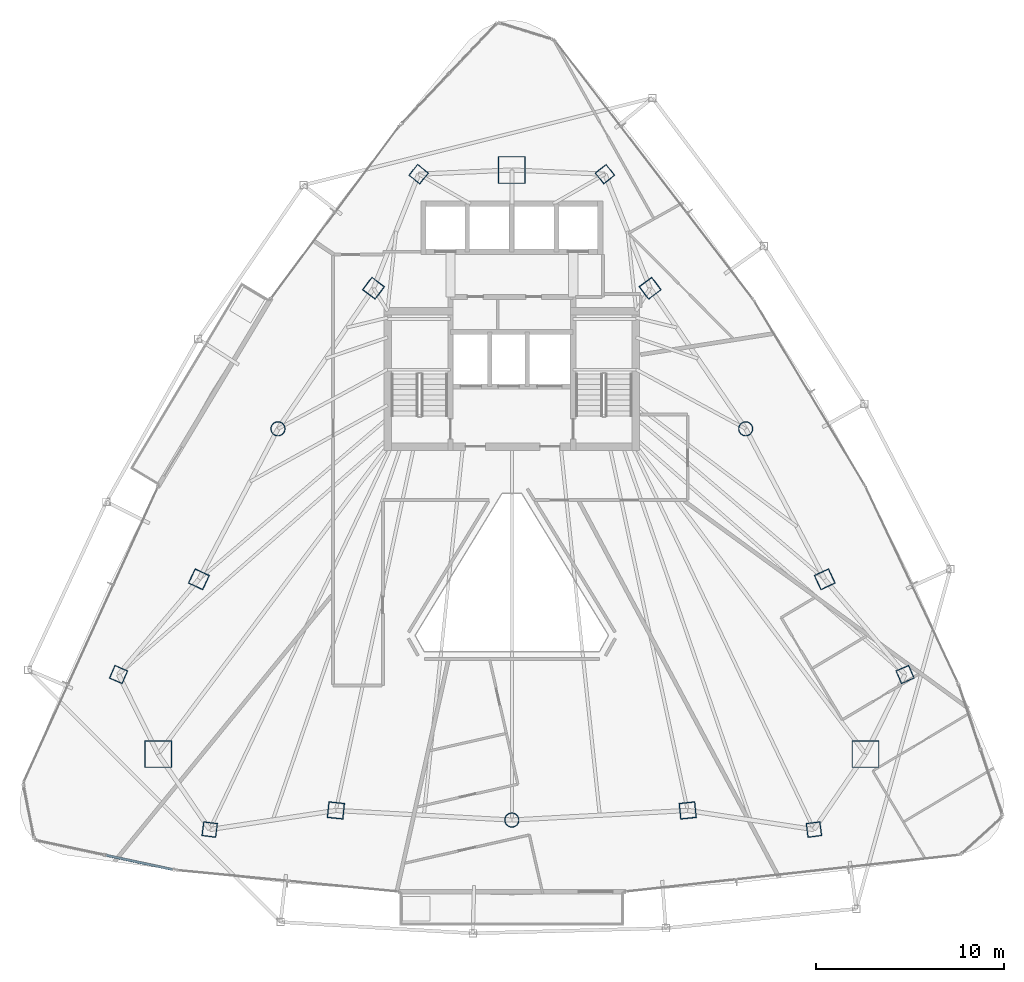
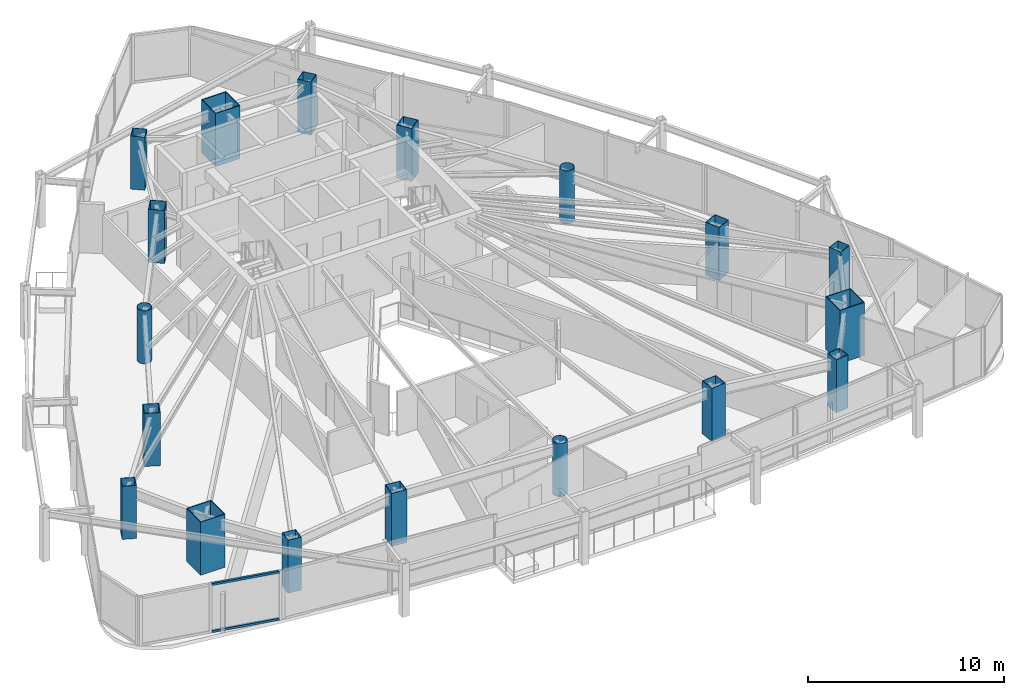
# One storey, part 1 of 33: 18 columns, 2 members, 1 element without a shape of its own.
"""IFC4 building model written with IfcOpenShell, lengths in metres."""

from ifc_helpers import new_model, si_unit, direction, frame, origin, origin_2d, place, context, subcontext, project, spatial, hollow_rectangle, hollow_circle, extrude, material, layer, layer_set, material_profile, profile_set, type_object, element, aggregate, save


model = new_model("IFC4")

# Units and contexts
model_context = context("Model", 3, precision=1e-05, world=origin(), true_north=direction((0.0, 1.0)))
body_context = subcontext(model_context, "Body", "Model", "MODEL_VIEW")
ifc_project = project(units=[si_unit("LENGTHUNIT", "METRE"), si_unit("AREAUNIT", "SQUARE_METRE"), si_unit("VOLUMEUNIT", "CUBIC_METRE"), si_unit("PLANEANGLEUNIT", "RADIAN"), si_unit("MASSUNIT", "GRAM", prefix="KILO")], contexts=[model_context])

# Site, building, storey
site_placement = place(None, origin())
site = spatial("IfcSite", under=ifc_project, at=site_placement, CompositionType="ELEMENT")
building_placement = place(site_placement, origin())
building = spatial("IfcBuilding", under=site, at=building_placement, Name="Orvanel Arch Residences", CompositionType="ELEMENT")
storey_placement = place(building_placement, frame((0.0, 0.0, 116.60009765625)))
storey = spatial("IfcBuildingStorey", under=building, at=storey_placement, Name="L32", CompositionType="ELEMENT", Elevation=116.60009765625)

# Columns
ifc_material_1 = material(Name="Structural steel AS/NZS 1163 C450L0 (Grade 450)", Category="steel")
ifc_material_profile_1 = material_profile(ifc_material_1, hollow_circle(Radius=0.381103515625, WallThickness=0.02197265625, at=origin_2d()), Name="CHS762x22")
ifc_profile_set_1 = profile_set([ifc_material_profile_1], Name="Structural steel AS/NZS 1163 C450L0 (Grade 450)")
column_type_1 = type_object("IfcColumnType", Name="CC-762", PredefinedType="COLUMN", material=ifc_profile_set_1)
for number, where, z_axis, x_axis, name in (
    (1, (20.569091796875, 27.64111328125, 0.0), (0.0, 0.0, 1.0), (1.0, 0.0, 0.0), "L32 High-Rise Tube Column 02"),
    (2, (33.0, 6.843994140625, 0.0), (0.0, 0.0, 1.0), (1.0, 0.0, 0.0), "L32 High-Rise Tube Column 05"),
    (3, (45.430908203125, 27.64111328125, 0.0), (0.0, 0.0, 1.0), (1.0, 0.0, 0.0), "L32 High-Rise Tube Column 08"),
):
    element("IfcColumn", number, at=place(storey_placement, frame(where, z_axis=z_axis, x_axis=x_axis)), inside=storey, type_object=column_type_1, Name=name, PredefinedType="COLUMN", context=body_context, shape_type="SweptSolid", body=[
        extrude(hollow_circle(Radius=0.381103515625, WallThickness=0.02197265625, at=origin_2d()), origin(), (0.0, 0.0, 1.0), 3.2998046875),
    ])
ifc_material_2 = material(Name="Structural steel AS/NZS 3678 Grade 450", Category="steel")
ifc_material_profile_2 = material_profile(ifc_material_2, hollow_rectangle(XDim=1.449951171875, YDim=1.449951171875, WallThickness=0.044921875, at=origin_2d()), Name="BOX1450x1450x45")
ifc_profile_set_2 = profile_set([ifc_material_profile_2], Name="Structural steel AS/NZS 3678 Grade 450")
column_type_2 = type_object("IfcColumnType", Name="MC-1450", PredefinedType="COLUMN", material=ifc_profile_set_2)
for number, where, z_axis, x_axis, name in (
    (4, (33.0, 41.39794921875, 0.0), (0.0, 0.0, 1.0), (1.0, 0.0, 0.0), "L32 Corner Mega-Column 1"),
    (5, (14.198974609375, 10.35107421875, 0.0), (0.0, 0.0, 1.0), (1.0, 0.0, 0.0), "L32 Corner Mega-Column 2"),
    (6, (51.801025390625, 10.35107421875, 0.0), (0.0, 0.0, 1.0), (1.0, 0.0, 0.0), "L32 Corner Mega-Column 3"),
):
    element("IfcColumn", number, at=place(storey_placement, frame(where, z_axis=z_axis, x_axis=x_axis)), inside=storey, type_object=column_type_2, Name=name, PredefinedType="COLUMN", context=body_context, shape_type="SweptSolid", body=[
        extrude(hollow_rectangle(XDim=1.449951171875, YDim=1.449951171875, WallThickness=0.044921875, at=origin_2d()), origin(), (0.0, 0.0, 1.0), 3.2998046875),
    ])
ifc_material_3 = material(Name="Structural steel AS/NZS 3678 Grade 350", Category="steel")
ifc_material_profile_3 = material_profile(ifc_material_3, hollow_rectangle(XDim=0.75, YDim=0.75, WallThickness=0.02490234375, at=origin_2d()), Name="BOX750x750x25")
ifc_profile_set_3 = profile_set([ifc_material_profile_3], Name="Structural steel AS/NZS 3678 Grade 350")
column_type_3 = type_object("IfcColumnType", Name="TC-750", PredefinedType="COLUMN", material=ifc_profile_set_3)
for number, where, z_axis, x_axis, name in (
    (7, (28.050048828125, 41.177978515625, 0.0), (0.0, 0.0, 1.0), (0.623879596709, 0.781520472419, 0.0), "L32 Mid-Rise Buttress Tube Column 01"),
    (8, (12.094970703125, 14.580078125, 0.0), (0.0, 0.0, 1.0), (0.397147890635, 0.917754625684, 0.0), "L32 Mid-Rise Buttress Tube Column 02"),
    (9, (16.94091796875, 6.339111328125, 0.0), (0.0, 0.0, 1.0), (-0.99189444259, 0.127064608601, 0.0), "L32 Mid-Rise Buttress Tube Column 03"),
    (10, (49.05908203125, 6.339111328125, 0.0), (0.0, 0.0, 1.0), (0.99189444259, 0.127064608601, 0.0), "L32 Mid-Rise Buttress Tube Column 04"),
    (11, (53.905029296875, 14.580078125, 0.0), (0.0, 0.0, 1.0), (-0.397147890635, 0.917754625684, 0.0), "L32 Mid-Rise Buttress Tube Column 05"),
    (12, (37.949951171875, 41.177978515625, 0.0), (0.0, 0.0, 1.0), (-0.623879596709, 0.781520472419, 0.0), "L32 Mid-Rise Buttress Tube Column 06"),
):
    element("IfcColumn", number, at=place(storey_placement, frame(where, z_axis=z_axis, x_axis=x_axis)), inside=storey, type_object=column_type_3, Name=name, PredefinedType="COLUMN", context=body_context, shape_type="SweptSolid", body=[
        extrude(hollow_rectangle(XDim=0.75, YDim=0.75, WallThickness=0.02490234375, at=origin_2d()), origin(), (0.0, 0.0, 1.0), 3.2998046875),
    ])
ifc_material_profile_4 = material_profile(ifc_material_3, hollow_rectangle(XDim=0.85009765625, YDim=0.85009765625, WallThickness=0.028076171875, at=origin_2d()), Name="BOX850x850x28")
ifc_profile_set_4 = profile_set([ifc_material_profile_4], Name="Structural steel AS/NZS 3678 Grade 350")
column_type_4 = type_object("IfcColumnType", Name="TC-850", PredefinedType="COLUMN", material=ifc_profile_set_4)
for number, where, z_axis, x_axis, name in (
    (13, (25.64794921875, 35.113037109375, 0.0), (0.0, 0.0, 1.0), (0.600420225326, 0.799684658487, 0.0), "L32 High-Rise Tube Column 01"),
    (14, (16.366943359375, 19.64208984375, 0.0), (0.0, 0.0, 1.0), (0.422618261741, 0.906307787037, 0.0), "L32 High-Rise Tube Column 03"),
    (15, (23.64892578125, 7.35498046875, 0.0), (0.0, 0.0, 1.0), (-0.994880708829, 0.101056297183, 0.0), "L32 High-Rise Tube Column 04"),
    (16, (42.35107421875, 7.35498046875, 0.0), (0.0, 0.0, 1.0), (0.994880708829, 0.101056297183, 0.0), "L32 High-Rise Tube Column 06"),
    (17, (49.633056640625, 19.64208984375, 0.0), (0.0, 0.0, 1.0), (-0.422618261741, 0.906307787037, 0.0), "L32 High-Rise Tube Column 07"),
    (18, (40.35205078125, 35.113037109375, 0.0), (0.0, 0.0, 1.0), (-0.600420225326, 0.799684658487, 0.0), "L32 High-Rise Tube Column 09"),
):
    element("IfcColumn", number, at=place(storey_placement, frame(where, z_axis=z_axis, x_axis=x_axis)), inside=storey, type_object=column_type_4, Name=name, PredefinedType="COLUMN", context=body_context, shape_type="SweptSolid", body=[
        extrude(hollow_rectangle(XDim=0.85009765625, YDim=0.85009765625, WallThickness=0.028076171875, at=origin_2d()), origin(), (0.0, 0.0, 1.0), 3.2998046875),
    ])

# Curtain wall, members
ifc_material_4 = material(Name="Bronze-anodised aluminium AA6063-T6", Category="aluminium")
ifc_layer = layer(ifc_material_4, 0.18994140625)
ifc_layer_set = layer_set([ifc_layer], Name="Bronze-anodised aluminium AA6063-T6")
curtain_wall_type = type_object("IfcCurtainWallType", Name="CW5-CRN-SYS", PredefinedType="NOTDEFINED", material=ifc_layer_set)
curtain_wall_placement = place(storey_placement, origin())
curtain_wall = element("IfcCurtainWall", 19, at=curtain_wall_placement, inside=storey, type_object=curtain_wall_type, Name="L32 CW5-CRN-SYS Unitised Curtain Wall", PredefinedType="NOTDEFINED")
ifc_material_profile_5 = material_profile(ifc_material_4, hollow_rectangle(XDim=0.1298828125, YDim=0.1298828125, WallThickness=0.00439453125, at=origin_2d()), Name="ALU130x130x4.5")
ifc_profile_set_5 = profile_set([ifc_material_profile_5], Name="Bronze-anodised aluminium AA6063-T6")
member_type = type_object("IfcMemberType", Name="TRN-130x130", PredefinedType="USERDEFINED", material=ifc_profile_set_5)
member_1_placement = place(storey_placement, frame((11.44384765625, 4.972412109375, 0.06494140625), z_axis=(0.97785508511, -0.209283139611, 0.0), x_axis=(0.209283139611, 0.97785508511, 0.0)))
member_1 = element("IfcMember", 20, at=member_1_placement, type_object=member_type, Name="CW-S5 transom 2.1", ObjectType="TRANSOM", PredefinedType="USERDEFINED", context=body_context, shape_type="SweptSolid", body=[
    extrude(hollow_rectangle(XDim=0.1298828125, YDim=0.1298828125, WallThickness=0.00439453125, at=origin_2d()), origin(), (0.0, 0.0, 1.0), 3.593017578125),
])
member_2_placement = place(storey_placement, frame((11.44384765625, 4.972412109375, 2.994873046875), z_axis=(0.97785508511, -0.209283139611, 0.0), x_axis=(0.209283139611, 0.97785508511, 0.0)))
member_2 = element("IfcMember", 21, at=member_2_placement, type_object=member_type, Name="CW-S5 transom 2.2", ObjectType="TRANSOM", PredefinedType="USERDEFINED", context=body_context, shape_type="SweptSolid", body=[
    extrude(hollow_rectangle(XDim=0.1298828125, YDim=0.1298828125, WallThickness=0.00439453125, at=origin_2d()), origin(), (0.0, 0.0, 1.0), 3.593017578125),
])
aggregate(curtain_wall, [member_1, member_2])

save(model, "model.ifc")
